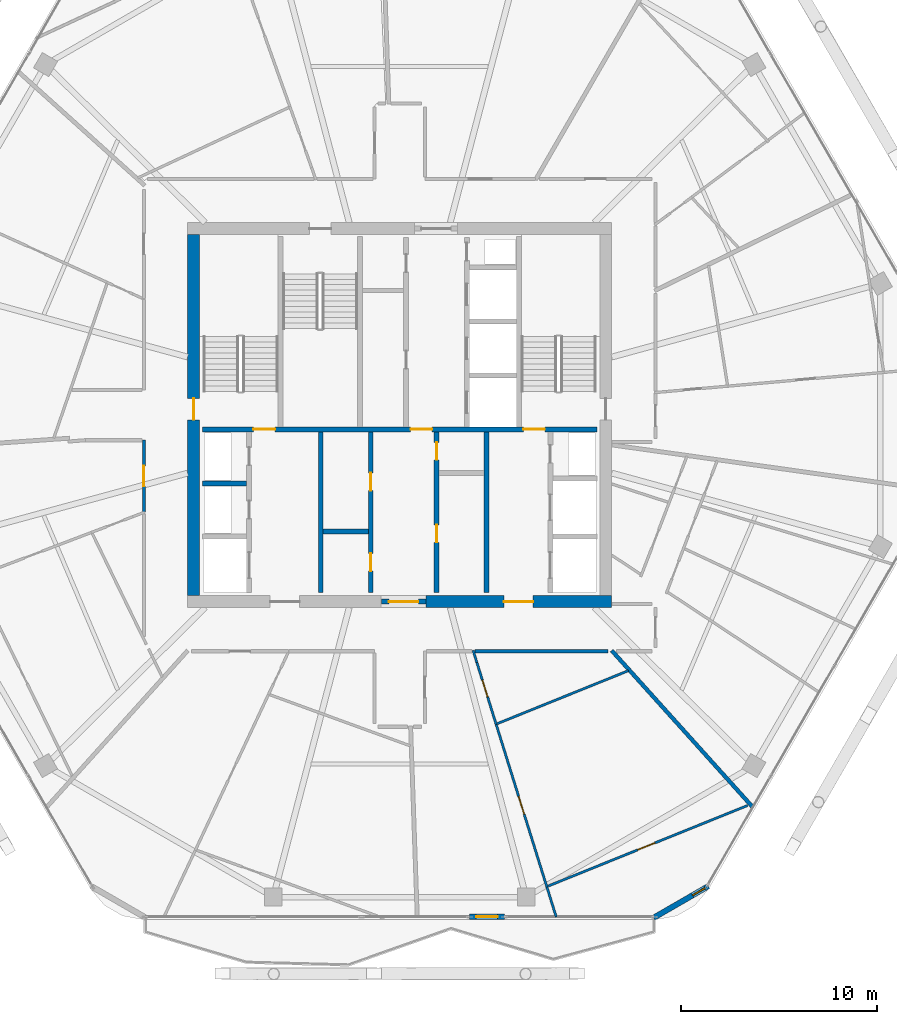
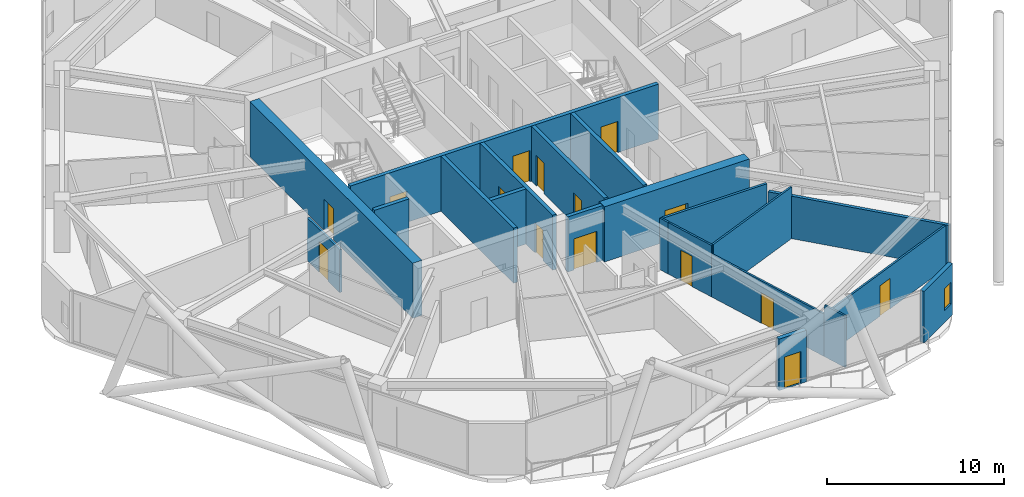
# One storey, part 21 of 26: 21 walls, 15 doors, 1 window, 16 openings.
"""IFC4 building model written with IfcOpenShell, lengths in metres."""

import ifcopenshell
import ifcopenshell.guid

model = None  # the IFC model being written
_history = None  # IfcOwnerHistory: only IFC2X3 demands one
_inside = {}  # id of a spatial element -> (the spatial element, [elements in it])
_under = {}  # id of a project, library or spatial element -> (it, [spatial elements below it])
_declared = {}  # id of a project -> (the project, [libraries it declares])
_typed = {}  # id of a type object -> (the type object, [elements of that type])
_made_of = {}  # id of a material, layer set ... -> (it, [elements and type objects made of it])


def new_model(schema):
    """Start an empty IFC model of exactly this schema.

    Asked for "IFC4X3", IfcOpenShell would pick the latest addendum, in which some entities
    have other attributes; the version numbers below select the first issue.
    IFC2X3 requires an IfcOwnerHistory on every rooted entity: one is made here for all.
    """
    global model, _history
    if schema == "IFC4X3":
        model = ifcopenshell.file(schema_version=(4, 3, 0, 0))
    else:
        model = ifcopenshell.file(schema=schema)
    _inside.clear()
    _under.clear()
    _declared.clear()
    _typed.clear()
    _made_of.clear()
    _history = None
    if model.schema == "IFC2X3":
        org = make("IfcOrganization", Name="unknown")
        user = make(
            "IfcPersonAndOrganization",
            ThePerson=make("IfcPerson", FamilyName="unknown"),
            TheOrganization=org,
        )
        app = make(
            "IfcApplication",
            ApplicationDeveloper=org,
            Version="unknown",
            ApplicationFullName="unknown",
            ApplicationIdentifier="unknown",
        )
        _history = make(
            "IfcOwnerHistory",
            OwningUser=user,
            OwningApplication=app,
            ChangeAction="ADDED",
            CreationDate=0,
        )
    return model


def make(cls, **values):
    """One entity of the class cls with the attributes given. An attribute that is None is left unset."""
    return model.create_entity(
        cls, **{name: value for name, value in values.items() if value is not None}
    )


def rooted(cls, **values):
    """An entity with a GlobalId (a new one), such as an element, a storey or a relation."""
    return make(cls, GlobalId=ifcopenshell.guid.new(), OwnerHistory=_history, **values)


def si_unit(unit_type, name, prefix=None):
    """IfcSIUnit, for example si_unit("LENGTHUNIT", "METRE", prefix="MILLI")."""
    return make("IfcSIUnit", UnitType=unit_type, Prefix=prefix, Name=name)


def assignment(units):
    """IfcUnitAssignment: the units of a project."""
    return None if units is None else make("IfcUnitAssignment", Units=units)


def point(xyz):
    """IfcCartesianPoint."""
    return None if xyz is None else make("IfcCartesianPoint", Coordinates=xyz)


def direction(xyz):
    """IfcDirection."""
    return None if xyz is None else make("IfcDirection", DirectionRatios=xyz)


def frame(location, z_axis=None, x_axis=None):
    """IfcAxis2Placement3D, a coordinate frame: its origin and axes. An axis left out is left unset."""
    return make(
        "IfcAxis2Placement3D",
        Location=point(location),
        Axis=direction(z_axis),
        RefDirection=direction(x_axis),
    )


def frame_2d(location, x_axis=None):
    """IfcAxis2Placement2D, a coordinate frame in the plane: its origin and x axis."""
    return make(
        "IfcAxis2Placement2D", Location=point(location), RefDirection=direction(x_axis)
    )


def origin():
    """The frame at (0, 0, 0) with its axes left unset."""
    return frame((0.0, 0.0, 0.0))


def place(relative_to, where):
    """IfcLocalPlacement: puts the frame where relative to a parent placement (None: the world)."""
    return make(
        "IfcLocalPlacement", PlacementRelTo=relative_to, RelativePlacement=where
    )


def context(
    kind, dimensions, precision=None, world=None, true_north=None, identifier=None
):
    """IfcGeometricRepresentationContext, for example the 3D "Model" context."""
    return make(
        "IfcGeometricRepresentationContext",
        ContextIdentifier=identifier,
        ContextType=kind,
        CoordinateSpaceDimension=dimensions,
        Precision=precision,
        WorldCoordinateSystem=world,
        TrueNorth=true_north,
    )


def subcontext(parent, identifier, kind, view, scale=None):
    """IfcGeometricRepresentationSubContext, for example "Body" below "Model"."""
    return make(
        "IfcGeometricRepresentationSubContext",
        ContextIdentifier=identifier,
        ContextType=kind,
        ParentContext=parent,
        TargetScale=scale,
        TargetView=view,
    )


def project(units=None, contexts=None):
    """IfcProject with its units and contexts."""
    return rooted(
        "IfcProject",
        Name="project",
        RepresentationContexts=contexts,
        UnitsInContext=assignment(units),
    )


def spatial(cls, under=None, at=None, **own):
    """A site, building, storey or space (cls), placed at a placement, below another one or the project."""
    s = rooted(cls, ObjectPlacement=at, **own)
    if under is not None:
        _under.setdefault(under.id(), (under, []))[1].append(s)
    return s


def profile(cls, at=None, kind="AREA", **sizes):
    """A parametric profile (cls). Its sizes go by their IFC names, for example OverallWidth=200.0."""
    return make(cls, ProfileType=kind, Position=at, **sizes)


def rectangle(**sizes):
    """IfcRectangleProfileDef."""
    return profile("IfcRectangleProfileDef", **sizes)


def extrude(swept, where, along, depth):
    """IfcExtrudedAreaSolid: the profile swept, set in the frame where, extruded along a direction by depth."""
    return make(
        "IfcExtrudedAreaSolid",
        SweptArea=swept,
        Position=where,
        ExtrudedDirection=direction(along),
        Depth=depth,
    )


def shape(context_of_items, identifier, shape_type, items):
    """IfcShapeRepresentation: the items that make up one representation, for example the "Body"."""
    return make(
        "IfcShapeRepresentation",
        ContextOfItems=context_of_items,
        RepresentationIdentifier=identifier,
        RepresentationType=shape_type,
        Items=items,
    )


def material(Name=None, Category=None):
    """IfcMaterial."""
    return make("IfcMaterial", Name=Name, Category=Category)


def layer(
    of_material, thickness, ventilated=None, Name=None, Category=None, Priority=None
):
    """IfcMaterialLayer: one layer of a wall or slab, of a material (None: an air gap)."""
    return make(
        "IfcMaterialLayer",
        Material=of_material,
        LayerThickness=thickness,
        IsVentilated=ventilated,
        Name=Name,
        Category=Category,
        Priority=Priority,
    )


def layer_set(layers, Name=None):
    """IfcMaterialLayerSet."""
    return make("IfcMaterialLayerSet", MaterialLayers=layers, LayerSetName=Name)


def made_of(thing, what):
    """Note that an element or type object is made of a material, layer set ...; save() writes the relation."""
    if what is not None:
        _made_of.setdefault(what.id(), (what, []))[1].append(thing)
    return thing


def type_object(cls, material=None, **own):
    """A type object (cls), such as IfcWallType, which elements share."""
    return made_of(rooted(cls, **own), material)


def element(
    cls,
    number,
    at=None,
    inside=None,
    cuts=None,
    type_object=None,
    material=None,
    context=None,
    identifier="Body",
    shape_type=None,
    held_by="IfcProductDefinitionShape",
    body=None,
    shapes=None,
    **own,
):
    """One element of the class cls, such as IfcWall. Its Tag is "e" and its number.

    at: its placement. inside: the storey or other place that contains it. cuts: it is an
    opening in that element (IfcRelVoidsElement). A single representation is given by context,
    identifier, shape_type and body (its items); several are given by shapes. held_by: the class
    of the entity that holds the representations. save() writes the other relations.
    """
    e = rooted(cls, Tag="e%d" % number, ObjectPlacement=at, **own)
    if body is not None:
        shapes = [shape(context, identifier, shape_type, body)]
    if shapes is not None:
        e.Representation = make(held_by, Representations=shapes)
    if inside is not None:
        _inside.setdefault(inside.id(), (inside, []))[1].append(e)
    if cuts is not None:
        rooted(
            "IfcRelVoidsElement", RelatingBuildingElement=cuts, RelatedOpeningElement=e
        )
    if type_object is not None:
        _typed.setdefault(type_object.id(), (type_object, []))[1].append(e)
    return made_of(e, material)


def fill(opening, filler):
    """IfcRelFillsElement: the door or window that sits in an opening."""
    return rooted(
        "IfcRelFillsElement",
        RelatingOpeningElement=opening,
        RelatedBuildingElement=filler,
    )


def aggregate(whole, parts):
    """IfcRelAggregates: a whole, such as a stair, and the parts it consists of."""
    return rooted("IfcRelAggregates", RelatingObject=whole, RelatedObjects=parts)


def save(model, path):
    """Write the relations noted so far, then the file.

    IfcRelAggregates (storeys below a building ...), IfcRelContainedInSpatialStructure (elements
    in a storey), IfcRelDefinesByType, IfcRelAssociatesMaterial and IfcRelDeclares: one each for
    every whole, place, type object, material and project.
    """
    for whole, parts in _under.values():
        aggregate(whole, parts)
    for where, things in _inside.values():
        rooted(
            "IfcRelContainedInSpatialStructure",
            RelatedElements=things,
            RelatingStructure=where,
        )
    for kind, things in _typed.values():
        rooted("IfcRelDefinesByType", RelatedObjects=things, RelatingType=kind)
    for what, things in _made_of.values():
        rooted("IfcRelAssociatesMaterial", RelatedObjects=things, RelatingMaterial=what)
    for by, libraries in _declared.values():
        rooted("IfcRelDeclares", RelatingContext=by, RelatedDefinitions=libraries)
    model.write(path)


model = new_model("IFC4")

# Units and contexts
model_context = context("Model", 3, precision=1e-05, world=origin(), true_north=direction((0.0, 1.0)))
body_context = subcontext(model_context, "Body", "Model", "MODEL_VIEW")
ifc_project = project(units=[si_unit("LENGTHUNIT", "METRE"), si_unit("AREAUNIT", "SQUARE_METRE"), si_unit("VOLUMEUNIT", "CUBIC_METRE"), si_unit("PLANEANGLEUNIT", "RADIAN"), si_unit("MASSUNIT", "GRAM", prefix="KILO")], contexts=[model_context])

# Site, building, storey
site_placement = place(None, origin())
site = spatial("IfcSite", under=ifc_project, at=site_placement, CompositionType="ELEMENT")
building_placement = place(site_placement, origin())
building = spatial("IfcBuilding", under=site, at=building_placement, Name="Zuhravey Tower", CompositionType="ELEMENT")
storey_placement = place(building_placement, frame((0.0, 0.0, 231.199951171875)))
storey = spatial("IfcBuildingStorey", under=building, at=storey_placement, Name="L58", CompositionType="ELEMENT", Elevation=231.199951171875)

# Wall, opening, door
ifc_material_1 = material(Name="Concrete C50/60", Category="concrete")
ifc_layer_1 = layer(ifc_material_1, 0.60009765625)
ifc_layer_set_1 = layer_set([ifc_layer_1], Name="Concrete C50/60")
wall_type_1 = type_object("IfcWallType", Name="Core Shear Wall 600", PredefinedType="SHEAR", material=ifc_layer_set_1)
wall_1_placement = place(storey_placement, frame((37.35009765625, 22.5, 0.0), z_axis=(0.0, 0.0, 1.0), x_axis=(1.0, 0.0, 0.0)))
wall_1 = element("IfcWall", 1, at=wall_1_placement, inside=storey, type_object=wall_type_1, Name="L58 South-East Core Shear Wall CW60", PredefinedType="SHEAR", context=body_context, shape_type="SweptSolid", body=[
    extrude(rectangle(XDim=9.449951171875, YDim=0.60009765625, at=frame_2d((4.72509765625, 0.0))), origin(), (0.0, 0.0, 1.0), 3.800048828125),
])
opening_1_placement = place(wall_1_placement, frame((3.949951171875, 0.0, 0.0)))
opening_1 = element("IfcOpeningElement", 2, at=opening_1_placement, cuts=wall_1, Name="Opening FFD1", PredefinedType="OPENING", context=body_context, shape_type="SweptSolid", body=[
    extrude(rectangle(XDim=1.5, YDim=2.14990234375, at=frame_2d((0.75, 1.074951171875))), frame((0.0, 0.31201171875, 0.0), z_axis=(0.0, -1.0, 0.0), x_axis=(1.0, 0.0, 0.0)), (0.0, 0.0, 1.0), 0.6240234375),
])
ifc_material_2 = material(Name="Galvanised fire-rated steel leaf", Category="steel")
door_type_1 = type_object("IfcDoorType", Name="Firefighting Lobby Double Door 1500x2150", OperationType="DOUBLE_DOOR_SINGLE_SWING", PredefinedType="DOOR", material=ifc_material_2)
door_1_placement = place(opening_1_placement, origin())
door_1 = element("IfcDoor", 3, at=door_1_placement, inside=storey, type_object=door_type_1, Name="L58 Firefighting Lobby East Door", OperationType="DOUBLE_DOOR_SINGLE_SWING", OverallHeight=2.14990234375, OverallWidth=1.5, PredefinedType="DOOR", context=body_context, shape_type="SweptSolid", body=[
    extrude(rectangle(XDim=1.5, YDim=2.14990234375, at=frame_2d((0.75, 1.074951171875))), frame((0.0, 0.02490234375, 0.0), z_axis=(0.0, -1.0, 0.0), x_axis=(1.0, 0.0, 0.0)), (0.0, 0.0, 1.0), 0.050048828125),
])
fill(opening_1, door_1)

wall_2_placement = place(storey_placement, frame((25.5, 22.800048828125, 0.0), z_axis=(0.0, 0.0, 1.0), x_axis=(0.0, 1.0, 0.0)))
wall_2 = element("IfcWall", 4, at=wall_2_placement, inside=storey, type_object=wall_type_1, Name="L58 West Core Shear Wall CW60", PredefinedType="SHEAR", context=body_context, shape_type="SweptSolid", body=[
    extrude(rectangle(XDim=18.39990234375, YDim=0.60009765625, at=frame_2d((9.199951171875, 0.0))), origin(), (0.0, 0.0, 1.0), 3.800048828125),
])
opening_2_placement = place(wall_2_placement, frame((8.949951171875, 0.0, 0.0)))
opening_2 = element("IfcOpeningElement", 5, at=opening_2_placement, cuts=wall_2, Name="Opening STD1", PredefinedType="OPENING", context=body_context, shape_type="SweptSolid", body=[
    extrude(rectangle(XDim=1.10009765625, YDim=2.14990234375, at=frame_2d((0.550048828125, 1.074951171875))), frame((0.0, 0.31201171875, 0.0), z_axis=(0.0, -1.0, 0.0), x_axis=(1.0, 0.0, 0.0)), (0.0, 0.0, 1.0), 0.6240234375),
])
door_type_2 = type_object("IfcDoorType", Name="Protected Stair Fire Door 1100x2150", OperationType="NOTDEFINED", PredefinedType="USERDEFINED", material=ifc_material_2)
door_2_placement = place(opening_2_placement, frame((1.10009765625, 0.0, 0.0), z_axis=(0.0, 0.0, 1.0), x_axis=(-1.0, 0.0, 0.0)))
door_2 = element("IfcDoor", 6, at=door_2_placement, inside=storey, type_object=door_type_2, Name="L58 Stair ST1 Door", ObjectType="EXITDOOR", OperationType="SINGLE_SWING_LEFT", OverallHeight=2.14990234375, OverallWidth=1.10009765625, PredefinedType="USERDEFINED", context=body_context, shape_type="SweptSolid", body=[
    extrude(rectangle(XDim=1.10009765625, YDim=2.14990234375, at=frame_2d((0.550048828125, 1.074951171875))), frame((0.0, 0.02490234375, 0.0), z_axis=(0.0, -1.0, 0.0), x_axis=(1.0, 0.0, 0.0)), (0.0, 0.0, 1.0), 0.050048828125),
])
fill(opening_2, door_2)

ifc_material_3 = material(Name="Gypsum fire-rated stud partition")
ifc_layer_2 = layer(ifc_material_3, 0.159912109375)
ifc_layer_set_2 = layer_set([ifc_layer_2], Name="Gypsum fire-rated stud partition")
wall_type_2 = type_object("IfcWallType", Name="Corridor Fire Partition 160", PredefinedType="PARTITIONING", material=ifc_layer_set_2)
wall_3_placement = place(storey_placement, frame((22.969970703125, 30.719970703125, 0.0), z_axis=(0.0, 0.0, 1.0), x_axis=(0.0, -1.0, 0.0)))
wall_3 = element("IfcWall", 7, at=wall_3_placement, inside=storey, type_object=wall_type_2, Name="L58 IW16 Partition 032", PredefinedType="PARTITIONING", context=body_context, shape_type="SweptSolid", body=[
    extrude(rectangle(XDim=3.65869140625, YDim=0.159912109375, at=frame_2d((1.829345703125, 0.0))), origin(), (0.0, 0.0, 1.0), 2.949951171875),
])
opening_3_placement = place(wall_3_placement, frame((1.30419921875, 0.0, 0.0)))
opening_3 = element("IfcOpeningElement", 8, at=opening_3_placement, cuts=wall_3, Name="Opening APD1", PredefinedType="OPENING", context=body_context, shape_type="SweptSolid", body=[
    extrude(rectangle(XDim=1.050048828125, YDim=2.14990234375, at=frame_2d((0.52490234375, 1.074951171875))), frame((0.0, 0.092041015625, 0.0), z_axis=(0.0, -1.0, 0.0), x_axis=(1.0, 0.0, 0.0)), (0.0, 0.0, 1.0), 0.183837890625),
])
ifc_material_4 = material(Name="Solid-core oak fire-rated leaf")
door_type_3 = type_object("IfcDoorType", Name="Apartment Entrance Fire Door 1050x2150", OperationType="NOTDEFINED", PredefinedType="DOOR", material=ifc_material_4)
door_3_placement = place(opening_3_placement, frame((1.050048828125, 0.0, 0.0), z_axis=(0.0, 0.0, 1.0), x_axis=(-1.0, 0.0, 0.0)))
door_3 = element("IfcDoor", 9, at=door_3_placement, inside=storey, type_object=door_type_3, Name="L58 Door 032.1", OperationType="SINGLE_SWING_RIGHT", OverallHeight=2.14990234375, OverallWidth=1.050048828125, PredefinedType="DOOR", context=body_context, shape_type="SweptSolid", body=[
    extrude(rectangle(XDim=1.050048828125, YDim=2.14990234375, at=frame_2d((0.52490234375, 1.074951171875))), frame((0.0, 0.02490234375, 0.0), z_axis=(0.0, -1.0, 0.0), x_axis=(1.0, 0.0, 0.0)), (0.0, 0.0, 1.0), 0.050048828125),
])
fill(opening_3, door_3)

# Wall
wall_4_placement = place(storey_placement, frame((39.82275390625, 19.969970703125, 0.0), z_axis=(0.0, 0.0, 1.0), x_axis=(1.0, 0.0, 0.0)))
element("IfcWall", 10, at=wall_4_placement, inside=storey, type_object=wall_type_2, Name="L58 IW16 Partition 107", PredefinedType="PARTITIONING", context=body_context, shape_type="SweptSolid", body=[
    extrude(rectangle(XDim=6.793701171875, YDim=0.159912109375, at=frame_2d((3.39697265625, 0.0))), origin(), (0.0, 0.0, 1.0), 3.550048828125),
])

# Wall, opening, window
ifc_material_5 = material(Name="Precast concrete C40/50", Category="concrete")
ifc_layer_3 = layer(ifc_material_5, 0.280029296875)
ifc_layer_set_3 = layer_set([ifc_layer_3], Name="Precast concrete C40/50")
wall_type_3 = type_object("IfcWallType", Name="Crown Architectural Wall 280", PredefinedType="SOLIDWALL", material=ifc_layer_set_3)
wall_5_placement = place(storey_placement, frame((51.714599609375, 7.996337890625, 0.0), z_axis=(0.0, 0.0, 1.0), x_axis=(-0.866028773314, -0.499994163758, 0.0)))
wall_5 = element("IfcWall", 11, at=wall_5_placement, inside=storey, type_object=wall_type_3, Name="L58 Rounded Corner Closure Wall EW28-02", PredefinedType="SOLIDWALL", context=body_context, shape_type="SweptSolid", body=[
    extrude(rectangle(XDim=3.21484375, YDim=0.280029296875, at=frame_2d((1.607421875, 0.0))), origin(), (0.0, 0.0, 1.0), 3.550048828125),
])
opening_4_placement = place(wall_5_placement, frame((0.17578125, 0.0, 0.85009765625)))
opening_4 = element("IfcOpeningElement", 12, at=opening_4_placement, cuts=wall_5, Name="Opening WN5", PredefinedType="OPENING", context=body_context, shape_type="SweptSolid", body=[
    extrude(rectangle(XDim=0.75, YDim=1.5, at=frame_2d((0.375, 0.75))), frame((0.0, 0.152099609375, 0.0), z_axis=(0.0, -1.0, 0.0), x_axis=(1.0, 0.0, 0.0)), (0.0, 0.0, 1.0), 0.303955078125),
])
ifc_material_6 = material(Name="Thermally broken aluminium and triple low-E glass", Category="aluminium")
window_type = type_object("IfcWindowType", Name="Residential Corner Casement Window 750x1500", PartitioningType="SINGLE_PANEL", PredefinedType="WINDOW", material=ifc_material_6)
window_placement = place(opening_4_placement, origin())
window = element("IfcWindow", 13, at=window_placement, inside=storey, type_object=window_type, Name="L58 Corner Casement Window WN5-02.1", OverallHeight=1.5, OverallWidth=0.75, PartitioningType="SINGLE_PANEL", PredefinedType="WINDOW", context=body_context, shape_type="SweptSolid", body=[
    extrude(rectangle(XDim=0.75, YDim=1.5, at=frame_2d((0.375, 0.75))), frame((0.0, 0.030029296875, 0.0), z_axis=(0.0, -1.0, 0.0), x_axis=(1.0, 0.0, 0.0)), (0.0, 0.0, 1.0), 0.06005859375),
])
fill(opening_4, window)

# Wall, opening, door
wall_6_placement = place(storey_placement, frame((41.335693359375, 6.436279296875, 0.0), z_axis=(0.0, 0.0, 1.0), x_axis=(-1.0, 0.0, 0.0)))
wall_6 = element("IfcWall", 14, at=wall_6_placement, inside=storey, type_object=wall_type_3, Name="L58 Face 5 Facade Pier EW28-1", PredefinedType="SOLIDWALL", context=body_context, shape_type="SweptSolid", body=[
    extrude(rectangle(XDim=1.7900390625, YDim=0.280029296875, at=frame_2d((0.89501953125, 0.0))), origin(), (0.0, 0.0, 1.0), 3.550048828125),
])
opening_5_placement = place(wall_6_placement, frame((0.344970703125, 0.0, 0.0)))
opening_5 = element("IfcOpeningElement", 15, at=opening_5_placement, cuts=wall_6, Name="Opening BLD1", PredefinedType="OPENING", context=body_context, shape_type="SweptSolid", body=[
    extrude(rectangle(XDim=1.10009765625, YDim=2.199951171875, at=frame_2d((0.550048828125, 1.10009765625))), frame((0.0, 0.152099609375, 0.0), z_axis=(0.0, -1.0, 0.0), x_axis=(1.0, 0.0, 0.0)), (0.0, 0.0, 1.0), 0.303955078125),
])
ifc_material_7 = material(Name="Thermally broken aluminium and low-E glass", Category="aluminium")
door_type_4 = type_object("IfcDoorType", Name="Balcony & Sky-Tray Glazed Door 1100x2200", OperationType="NOTDEFINED", PredefinedType="DOOR", material=ifc_material_7)
door_4_placement = place(opening_5_placement, frame((1.10009765625, 0.0, 0.0), z_axis=(0.0, 0.0, 1.0), x_axis=(-1.0, 0.0, 0.0)))
door_4 = element("IfcDoor", 16, at=door_4_placement, inside=storey, type_object=door_type_4, Name="L58 Face 5 Wave Balcony Door", OperationType="SINGLE_SWING_LEFT", OverallHeight=2.199951171875, OverallWidth=1.10009765625, PredefinedType="DOOR", context=body_context, shape_type="SweptSolid", body=[
    extrude(rectangle(XDim=1.10009765625, YDim=2.199951171875, at=frame_2d((0.550048828125, 1.10009765625))), frame((0.0, 0.02490234375, 0.0), z_axis=(0.0, -1.0, 0.0), x_axis=(1.0, 0.0, 0.0)), (0.0, 0.0, 1.0), 0.050048828125),
])
fill(opening_5, door_4)

ifc_layer_4 = layer(ifc_material_1, 0.25)
ifc_layer_set_4 = layer_set([ifc_layer_4], Name="Concrete C50/60")
wall_type_4 = type_object("IfcWallType", Name="Firefighting Shaft & Stair Wall 250", PredefinedType="SOLIDWALL", material=ifc_layer_set_4)
wall_7_placement = place(storey_placement, frame((35.06005859375, 22.5, 0.0), z_axis=(0.0, 0.0, 1.0), x_axis=(1.0, 0.0, 0.0)))
wall_7 = element("IfcWall", 17, at=wall_7_placement, inside=storey, type_object=wall_type_4, Name="L58 FW25 Shaft Wall 001", PredefinedType="SOLIDWALL", context=body_context, shape_type="SweptSolid", body=[
    extrude(rectangle(XDim=2.280029296875, YDim=0.25, at=frame_2d((1.14013671875, 0.0))), origin(), (0.0, 0.0, 1.0), 3.800048828125),
])
opening_6_placement = place(wall_7_placement, frame((0.389892578125, 0.0, 0.0)))
opening_6 = element("IfcOpeningElement", 18, at=opening_6_placement, cuts=wall_7, Name="Opening FFD1", PredefinedType="OPENING", context=body_context, shape_type="SweptSolid", body=[
    extrude(rectangle(XDim=1.5, YDim=2.14990234375, at=frame_2d((0.75, 1.074951171875))), frame((0.0, 0.136962890625, 0.0), z_axis=(0.0, -1.0, 0.0), x_axis=(1.0, 0.0, 0.0)), (0.0, 0.0, 1.0), 0.27392578125),
])
door_5_placement = place(opening_6_placement, frame((1.5, 0.0, 0.0), z_axis=(0.0, 0.0, 1.0), x_axis=(-1.0, 0.0, 0.0)))
door_5 = element("IfcDoor", 19, at=door_5_placement, inside=storey, type_object=door_type_1, Name="L58 South Lift Lobby Exit Door", OperationType="DOUBLE_DOOR_SINGLE_SWING", OverallHeight=2.14990234375, OverallWidth=1.5, PredefinedType="DOOR", context=body_context, shape_type="SweptSolid", body=[
    extrude(rectangle(XDim=1.5, YDim=2.14990234375, at=frame_2d((0.75, 1.074951171875))), frame((0.0, 0.02490234375, 0.0), z_axis=(0.0, -1.0, 0.0), x_axis=(1.0, 0.0, 0.0)), (0.0, 0.0, 1.0), 0.050048828125),
])
fill(opening_6, door_5)

# Wall, openings, doors
wall_8_placement = place(storey_placement, frame((25.949951171875, 31.27490234375, 0.0), z_axis=(0.0, 0.0, 1.0), x_axis=(1.0, 0.0, 0.0)))
wall_8 = element("IfcWall", 20, at=wall_8_placement, inside=storey, type_object=wall_type_4, Name="L58 FW25 Shaft Wall 003", PredefinedType="SOLIDWALL", context=body_context, shape_type="SweptSolid", body=[
    extrude(rectangle(XDim=20.10009765625, YDim=0.25, at=frame_2d((10.050048828125, 0.0))), origin(), (0.0, 0.0, 1.0), 3.800048828125),
])
opening_7_placement = place(wall_8_placement, frame((2.60009765625, 0.0, 0.0)))
opening_7 = element("IfcOpeningElement", 21, at=opening_7_placement, cuts=wall_8, Name="Opening STD1", PredefinedType="OPENING", context=body_context, shape_type="SweptSolid", body=[
    extrude(rectangle(XDim=1.10009765625, YDim=2.14990234375, at=frame_2d((0.550048828125, 1.074951171875))), frame((0.0, 0.136962890625, 0.0), z_axis=(0.0, -1.0, 0.0), x_axis=(1.0, 0.0, 0.0)), (0.0, 0.0, 1.0), 0.27392578125),
])
opening_8_placement = place(wall_8_placement, frame((10.60009765625, 0.0, 0.0)))
opening_8 = element("IfcOpeningElement", 22, at=opening_8_placement, cuts=wall_8, Name="Opening STD1", PredefinedType="OPENING", context=body_context, shape_type="SweptSolid", body=[
    extrude(rectangle(XDim=1.10009765625, YDim=2.14990234375, at=frame_2d((0.550048828125, 1.074951171875))), frame((0.0, 0.136962890625, 0.0), z_axis=(0.0, -1.0, 0.0), x_axis=(1.0, 0.0, 0.0)), (0.0, 0.0, 1.0), 0.27392578125),
])
opening_9_placement = place(wall_8_placement, frame((16.35009765625, 0.0, 0.0)))
opening_9 = element("IfcOpeningElement", 23, at=opening_9_placement, cuts=wall_8, Name="Opening STD1", PredefinedType="OPENING", context=body_context, shape_type="SweptSolid", body=[
    extrude(rectangle(XDim=1.10009765625, YDim=2.14990234375, at=frame_2d((0.550048828125, 1.074951171875))), frame((0.0, 0.136962890625, 0.0), z_axis=(0.0, -1.0, 0.0), x_axis=(1.0, 0.0, 0.0)), (0.0, 0.0, 1.0), 0.27392578125),
])
door_6_placement = place(opening_7_placement, origin())
door_6 = element("IfcDoor", 24, at=door_6_placement, inside=storey, type_object=door_type_2, Name="L58 FFL-W to ST1 Door", ObjectType="EXITDOOR", OperationType="SINGLE_SWING_RIGHT", OverallHeight=2.14990234375, OverallWidth=1.10009765625, PredefinedType="USERDEFINED", context=body_context, shape_type="SweptSolid", body=[
    extrude(rectangle(XDim=1.10009765625, YDim=2.14990234375, at=frame_2d((0.550048828125, 1.074951171875))), frame((0.0, 0.02490234375, 0.0), z_axis=(0.0, -1.0, 0.0), x_axis=(1.0, 0.0, 0.0)), (0.0, 0.0, 1.0), 0.050048828125),
])
fill(opening_7, door_6)
door_7_placement = place(opening_8_placement, origin())
door_7 = element("IfcDoor", 25, at=door_7_placement, inside=storey, type_object=door_type_2, Name="L58 Core Lobby Link Door", ObjectType="EXITDOOR", OperationType="SINGLE_SWING_LEFT", OverallHeight=2.14990234375, OverallWidth=1.10009765625, PredefinedType="USERDEFINED", context=body_context, shape_type="SweptSolid", body=[
    extrude(rectangle(XDim=1.10009765625, YDim=2.14990234375, at=frame_2d((0.550048828125, 1.074951171875))), frame((0.0, 0.02490234375, 0.0), z_axis=(0.0, -1.0, 0.0), x_axis=(1.0, 0.0, 0.0)), (0.0, 0.0, 1.0), 0.050048828125),
])
fill(opening_8, door_7)
door_8_placement = place(opening_9_placement, origin())
door_8 = element("IfcDoor", 26, at=door_8_placement, inside=storey, type_object=door_type_2, Name="L58 FFL-E to ST2 Door", ObjectType="EXITDOOR", OperationType="SINGLE_SWING_RIGHT", OverallHeight=2.14990234375, OverallWidth=1.10009765625, PredefinedType="USERDEFINED", context=body_context, shape_type="SweptSolid", body=[
    extrude(rectangle(XDim=1.10009765625, YDim=2.14990234375, at=frame_2d((0.550048828125, 1.074951171875))), frame((0.0, 0.02490234375, 0.0), z_axis=(0.0, -1.0, 0.0), x_axis=(1.0, 0.0, 0.0)), (0.0, 0.0, 1.0), 0.050048828125),
])
fill(opening_9, door_8)

# Walls
wall_9_placement = place(storey_placement, frame((25.949951171875, 28.52490234375, 0.0), z_axis=(0.0, 0.0, 1.0), x_axis=(1.0, 0.0, 0.0)))
element("IfcWall", 27, at=wall_9_placement, inside=storey, type_object=wall_type_4, Name="L58 FW25 Shaft Wall 010", PredefinedType="SOLIDWALL", context=body_context, shape_type="SweptSolid", body=[
    extrude(rectangle(XDim=2.25, YDim=0.25, at=frame_2d((1.125, 0.0))), origin(), (0.0, 0.0, 1.0), 3.800048828125),
])
wall_10_placement = place(storey_placement, frame((31.97509765625, 22.949951171875, 0.0), z_axis=(0.0, 0.0, 1.0), x_axis=(0.0, 1.0, 0.0)))
element("IfcWall", 28, at=wall_10_placement, inside=storey, type_object=wall_type_4, Name="L58 FW25 Shaft Wall 012", PredefinedType="SOLIDWALL", context=body_context, shape_type="SweptSolid", body=[
    extrude(rectangle(XDim=8.199951171875, YDim=0.25, at=frame_2d((4.10009765625, 0.0))), origin(), (0.0, 0.0, 1.0), 3.800048828125),
])
wall_11_placement = place(storey_placement, frame((32.10009765625, 26.074951171875, 0.0), z_axis=(0.0, 0.0, 1.0), x_axis=(1.0, 0.0, 0.0)))
element("IfcWall", 29, at=wall_11_placement, inside=storey, type_object=wall_type_4, Name="L58 FW25 Shaft Wall 013", PredefinedType="SOLIDWALL", context=body_context, shape_type="SweptSolid", body=[
    extrude(rectangle(XDim=2.2998046875, YDim=0.25, at=frame_2d((1.14990234375, 0.0))), origin(), (0.0, 0.0, 1.0), 3.800048828125),
])

# Wall, openings, doors
wall_12_placement = place(storey_placement, frame((34.52490234375, 22.949951171875, 0.0), z_axis=(0.0, 0.0, 1.0), x_axis=(0.0, 1.0, 0.0)))
wall_12 = element("IfcWall", 30, at=wall_12_placement, inside=storey, type_object=wall_type_4, Name="L58 FW25 Shaft Wall 014", PredefinedType="SOLIDWALL", context=body_context, shape_type="SweptSolid", body=[
    extrude(rectangle(XDim=8.199951171875, YDim=0.25, at=frame_2d((4.10009765625, 0.0))), origin(), (0.0, 0.0, 1.0), 3.800048828125),
])
opening_10_placement = place(wall_12_placement, frame((1.10009765625, 0.0, 0.0)))
opening_10 = element("IfcOpeningElement", 31, at=opening_10_placement, cuts=wall_12, Name="Opening RSD1", PredefinedType="OPENING", context=body_context, shape_type="SweptSolid", body=[
    extrude(rectangle(XDim=0.89990234375, YDim=2.10009765625, at=frame_2d((0.449951171875, 1.050048828125))), frame((0.0, 0.136962890625, 0.0), z_axis=(0.0, -1.0, 0.0), x_axis=(1.0, 0.0, 0.0)), (0.0, 0.0, 1.0), 0.27392578125),
])
opening_11_placement = place(wall_12_placement, frame((5.199951171875, 0.0, 0.0)))
opening_11 = element("IfcOpeningElement", 32, at=opening_11_placement, cuts=wall_12, Name="Opening RSD1", PredefinedType="OPENING", context=body_context, shape_type="SweptSolid", body=[
    extrude(rectangle(XDim=0.89990234375, YDim=2.10009765625, at=frame_2d((0.449951171875, 1.050048828125))), frame((0.0, 0.136962890625, 0.0), z_axis=(0.0, -1.0, 0.0), x_axis=(1.0, 0.0, 0.0)), (0.0, 0.0, 1.0), 0.27392578125),
])
ifc_material_8 = material(Name="Galvanised fire-rated steel access leaf", Category="steel")
door_type_5 = type_object("IfcDoorType", Name="Riser & Shaft Access Fire Door 900x2100", OperationType="NOTDEFINED", PredefinedType="DOOR", material=ifc_material_8)
door_9_placement = place(opening_10_placement, origin())
door_9 = element("IfcDoor", 33, at=door_9_placement, inside=storey, type_object=door_type_5, Name="L58 Metering Room Door", OperationType="SINGLE_SWING_RIGHT", OverallHeight=2.10009765625, OverallWidth=0.89990234375, PredefinedType="DOOR", context=body_context, shape_type="SweptSolid", body=[
    extrude(rectangle(XDim=0.89990234375, YDim=2.10009765625, at=frame_2d((0.449951171875, 1.050048828125))), frame((0.0, 0.02490234375, 0.0), z_axis=(0.0, -1.0, 0.0), x_axis=(1.0, 0.0, 0.0)), (0.0, 0.0, 1.0), 0.050048828125),
])
fill(opening_10, door_9)
door_10_placement = place(opening_11_placement, origin())
door_10 = element("IfcDoor", 34, at=door_10_placement, inside=storey, type_object=door_type_5, Name="L58 Housekeeping Supply Door", OperationType="SINGLE_SWING_LEFT", OverallHeight=2.10009765625, OverallWidth=0.89990234375, PredefinedType="DOOR", context=body_context, shape_type="SweptSolid", body=[
    extrude(rectangle(XDim=0.89990234375, YDim=2.10009765625, at=frame_2d((0.449951171875, 1.050048828125))), frame((0.0, 0.02490234375, 0.0), z_axis=(0.0, -1.0, 0.0), x_axis=(1.0, 0.0, 0.0)), (0.0, 0.0, 1.0), 0.050048828125),
])
fill(opening_11, door_10)

wall_13_placement = place(storey_placement, frame((37.875, 22.949951171875, 0.0), z_axis=(0.0, 0.0, 1.0), x_axis=(0.0, 1.0, 0.0)))
wall_13 = element("IfcWall", 35, at=wall_13_placement, inside=storey, type_object=wall_type_4, Name="L58 FW25 Shaft Wall 016", PredefinedType="SOLIDWALL", context=body_context, shape_type="SweptSolid", body=[
    extrude(rectangle(XDim=8.199951171875, YDim=0.25, at=frame_2d((4.10009765625, 0.0))), origin(), (0.0, 0.0, 1.0), 3.800048828125),
])
opening_12_placement = place(wall_13_placement, frame((2.5625, 0.0, 0.0)))
opening_12 = element("IfcOpeningElement", 36, at=opening_12_placement, cuts=wall_13, Name="Opening RSD1", PredefinedType="OPENING", context=body_context, shape_type="SweptSolid", body=[
    extrude(rectangle(XDim=0.89990234375, YDim=2.10009765625, at=frame_2d((0.449951171875, 1.050048828125))), frame((0.0, 0.136962890625, 0.0), z_axis=(0.0, -1.0, 0.0), x_axis=(1.0, 0.0, 0.0)), (0.0, 0.0, 1.0), 0.27392578125),
])
opening_13_placement = place(wall_13_placement, frame((6.762451171875, 0.0, 0.0)))
opening_13 = element("IfcOpeningElement", 37, at=opening_13_placement, cuts=wall_13, Name="Opening RSD1", PredefinedType="OPENING", context=body_context, shape_type="SweptSolid", body=[
    extrude(rectangle(XDim=0.89990234375, YDim=2.10009765625, at=frame_2d((0.449951171875, 1.050048828125))), frame((0.0, 0.136962890625, 0.0), z_axis=(0.0, -1.0, 0.0), x_axis=(1.0, 0.0, 0.0)), (0.0, 0.0, 1.0), 0.27392578125),
])
door_11_placement = place(opening_12_placement, frame((0.89990234375, 0.0, 0.0), z_axis=(0.0, 0.0, 1.0), x_axis=(-1.0, 0.0, 0.0)))
door_11 = element("IfcDoor", 38, at=door_11_placement, inside=storey, type_object=door_type_5, Name="L58 Trunk Store Door", OperationType="SINGLE_SWING_RIGHT", OverallHeight=2.10009765625, OverallWidth=0.89990234375, PredefinedType="DOOR", context=body_context, shape_type="SweptSolid", body=[
    extrude(rectangle(XDim=0.89990234375, YDim=2.10009765625, at=frame_2d((0.449951171875, 1.050048828125))), frame((0.0, 0.02490234375, 0.0), z_axis=(0.0, -1.0, 0.0), x_axis=(1.0, 0.0, 0.0)), (0.0, 0.0, 1.0), 0.050048828125),
])
fill(opening_12, door_11)
door_12_placement = place(opening_13_placement, frame((0.89990234375, 0.0, 0.0), z_axis=(0.0, 0.0, 1.0), x_axis=(-1.0, 0.0, 0.0)))
door_12 = element("IfcDoor", 39, at=door_12_placement, inside=storey, type_object=door_type_5, Name="L58 Fiber Room Door", OperationType="SINGLE_SWING_LEFT", OverallHeight=2.10009765625, OverallWidth=0.89990234375, PredefinedType="DOOR", context=body_context, shape_type="SweptSolid", body=[
    extrude(rectangle(XDim=0.89990234375, YDim=2.10009765625, at=frame_2d((0.449951171875, 1.050048828125))), frame((0.0, 0.02490234375, 0.0), z_axis=(0.0, -1.0, 0.0), x_axis=(1.0, 0.0, 0.0)), (0.0, 0.0, 1.0), 0.050048828125),
])
fill(opening_13, door_12)

# Walls
wall_14_placement = place(storey_placement, frame((40.425048828125, 22.949951171875, 0.0), z_axis=(0.0, 0.0, 1.0), x_axis=(0.0, 1.0, 0.0)))
element("IfcWall", 40, at=wall_14_placement, inside=storey, type_object=wall_type_4, Name="L58 FW25 Shaft Wall 017", PredefinedType="SOLIDWALL", context=body_context, shape_type="SweptSolid", body=[
    extrude(rectangle(XDim=8.199951171875, YDim=0.25, at=frame_2d((4.10009765625, 0.0))), origin(), (0.0, 0.0, 1.0), 3.800048828125),
])
ifc_material_9 = material(Name="Gypsum double-stud party assembly")
ifc_layer_5 = layer(ifc_material_9, 0.199951171875)
ifc_layer_set_5 = layer_set([ifc_layer_5], Name="Gypsum double-stud party assembly")
wall_type_5 = type_object("IfcWallType", Name="Inter-Tenancy Party Wall 200", PredefinedType="PARTITIONING", material=ifc_layer_set_5)
wall_15_placement = place(storey_placement, frame((46.7958984375, 20.010009765625, 0.0), z_axis=(0.0, 0.0, 1.0), x_axis=(0.669124143022, -0.743150645041, 0.0)))
element("IfcWall", 41, at=wall_15_placement, inside=storey, type_object=wall_type_5, Name="L58 IW20 Partition 079", PredefinedType="PARTITIONING", context=body_context, shape_type="SweptSolid", body=[
    extrude(rectangle(XDim=10.744873046875, YDim=0.199951171875, at=frame_2d((5.37255859375, 0.0))), origin(), (0.0, 0.0, 1.0), 2.929931640625),
])

# Wall, opening, door
ifc_material_10 = material(Name="Gypsum metal-stud partition")
ifc_layer_6 = layer(ifc_material_10, 0.1201171875)
ifc_layer_set_6 = layer_set([ifc_layer_6], Name="Gypsum metal-stud partition")
wall_type_6 = type_object("IfcWallType", Name="Unit Internal Partition 120", PredefinedType="PARTITIONING", material=ifc_layer_set_6)
wall_16_placement = place(storey_placement, frame((39.92919921875, 19.39990234375, 0.0), z_axis=(0.0, 0.0, 1.0), x_axis=(0.297738747335, -0.954647389529, 0.0)))
wall_16 = element("IfcWall", 42, at=wall_16_placement, inside=storey, type_object=wall_type_6, Name="L58 IW12 Partition 037", PredefinedType="PARTITIONING", context=body_context, shape_type="SweptSolid", body=[
    extrude(rectangle(XDim=3.318359375, YDim=0.1201171875, at=frame_2d((1.6591796875, 0.0))), origin(), (0.0, 0.0, 1.0), 3.550048828125),
])
opening_14_placement = place(wall_16_placement, frame((0.94384765625, 0.0, 0.0)))
opening_14 = element("IfcOpeningElement", 43, at=opening_14_placement, cuts=wall_16, Name="Opening WCD1", PredefinedType="OPENING", context=body_context, shape_type="SweptSolid", body=[
    extrude(rectangle(XDim=0.89990234375, YDim=2.10009765625, at=frame_2d((0.449951171875, 1.050048828125))), frame((0.0, 0.072021484375, 0.0), z_axis=(0.0, -1.0, 0.0), x_axis=(1.0, 0.0, 0.0)), (0.0, 0.0, 1.0), 0.14404296875),
])
ifc_material_11 = material(Name="Moisture-resistant timber leaf", Category="wood")
door_type_6 = type_object("IfcDoorType", Name="Bathroom & WC Internal Door 900x2100", OperationType="NOTDEFINED", PredefinedType="DOOR", material=ifc_material_11)
door_13_placement = place(opening_14_placement, origin())
door_13 = element("IfcDoor", 44, at=door_13_placement, inside=storey, type_object=door_type_6, Name="Apartment L58-05 Bathroom Door", OperationType="SINGLE_SWING_LEFT", OverallHeight=2.10009765625, OverallWidth=0.89990234375, PredefinedType="DOOR", context=body_context, shape_type="SweptSolid", body=[
    extrude(rectangle(XDim=0.89990234375, YDim=2.10009765625, at=frame_2d((0.449951171875, 1.050048828125))), frame((0.0, 0.02490234375, 0.0), z_axis=(0.0, -1.0, 0.0), x_axis=(1.0, 0.0, 0.0)), (0.0, 0.0, 1.0), 0.050048828125),
])
fill(opening_14, door_13)

wall_17_placement = place(storey_placement, frame((40.917236328125, 16.23193359375, 0.0), z_axis=(0.0, 0.0, 1.0), x_axis=(0.297710586005, -0.954656172127, 0.0)))
wall_17 = element("IfcWall", 45, at=wall_17_placement, inside=storey, type_object=wall_type_6, Name="L58 IW12 Partition 038", PredefinedType="PARTITIONING", context=body_context, shape_type="SweptSolid", body=[
    extrude(rectangle(XDim=8.67041015625, YDim=0.1201171875, at=frame_2d((4.335205078125, 0.0))), origin(), (0.0, 0.0, 1.0), 2.929931640625),
])
opening_15_placement = place(wall_17_placement, frame((3.835205078125, 0.0, 0.0)))
opening_15 = element("IfcOpeningElement", 46, at=opening_15_placement, cuts=wall_17, Name="Opening IND1", PredefinedType="OPENING", context=body_context, shape_type="SweptSolid", body=[
    extrude(rectangle(XDim=0.949951171875, YDim=2.10009765625, at=frame_2d((0.47509765625, 1.050048828125))), frame((0.0, 0.072021484375, 0.0), z_axis=(0.0, -1.0, 0.0), x_axis=(1.0, 0.0, 0.0)), (0.0, 0.0, 1.0), 0.14404296875),
])
ifc_material_12 = material(Name="Painted engineered timber leaf", Category="wood")
door_type_7 = type_object("IfcDoorType", Name="Internal Room & Bedroom Door 950x2100", OperationType="NOTDEFINED", PredefinedType="DOOR", material=ifc_material_12)
door_14_placement = place(opening_15_placement, origin())
door_14 = element("IfcDoor", 47, at=door_14_placement, inside=storey, type_object=door_type_7, Name="Apartment L58-05 Home Office Door", OperationType="SINGLE_SWING_RIGHT", OverallHeight=2.10009765625, OverallWidth=0.949951171875, PredefinedType="DOOR", context=body_context, shape_type="SweptSolid", body=[
    extrude(rectangle(XDim=0.949951171875, YDim=2.10009765625, at=frame_2d((0.47509765625, 1.050048828125))), frame((0.0, 0.02490234375, 0.0), z_axis=(0.0, -1.0, 0.0), x_axis=(1.0, 0.0, 0.0)), (0.0, 0.0, 1.0), 0.050048828125),
])
fill(opening_15, door_14)

wall_18_placement = place(storey_placement, frame((43.55419921875, 8.00390625, 0.0), z_axis=(0.0, 0.0, 1.0), x_axis=(0.927183582348, 0.374607267179, 0.0)))
wall_18 = element("IfcWall", 48, at=wall_18_placement, inside=storey, type_object=wall_type_6, Name="L58 IW12 Partition 039", PredefinedType="PARTITIONING", context=body_context, shape_type="SweptSolid", body=[
    extrude(rectangle(XDim=10.9716796875, YDim=0.1201171875, at=frame_2d((5.48583984375, 0.0))), origin(), (0.0, 0.0, 1.0), 2.929931640625),
])
opening_16_placement = place(wall_18_placement, frame((4.926513671875, 0.0, 0.0)))
opening_16 = element("IfcOpeningElement", 49, at=opening_16_placement, cuts=wall_18, Name="Opening IND1", PredefinedType="OPENING", context=body_context, shape_type="SweptSolid", body=[
    extrude(rectangle(XDim=0.949951171875, YDim=2.10009765625, at=frame_2d((0.47509765625, 1.050048828125))), frame((0.0, 0.072021484375, 0.0), z_axis=(0.0, -1.0, 0.0), x_axis=(1.0, 0.0, 0.0)), (0.0, 0.0, 1.0), 0.14404296875),
])
door_15_placement = place(opening_16_placement, frame((0.949951171875, 0.0, 0.0), z_axis=(0.0, 0.0, 1.0), x_axis=(-1.0, 0.0, 0.0)))
door_15 = element("IfcDoor", 50, at=door_15_placement, inside=storey, type_object=door_type_7, Name="Apartment L58-05 Bedroom 1 Door", OperationType="SINGLE_SWING_LEFT", OverallHeight=2.10009765625, OverallWidth=0.949951171875, PredefinedType="DOOR", context=body_context, shape_type="SweptSolid", body=[
    extrude(rectangle(XDim=0.949951171875, YDim=2.10009765625, at=frame_2d((0.47509765625, 1.050048828125))), frame((0.0, 0.02490234375, 0.0), z_axis=(0.0, -1.0, 0.0), x_axis=(1.0, 0.0, 0.0)), (0.0, 0.0, 1.0), 0.050048828125),
])
fill(opening_16, door_15)

# Walls
wall_19_placement = place(storey_placement, frame((39.73779296875, 20.013916015625, 0.0), z_axis=(0.0, 0.0, 1.0), x_axis=(0.297604881779, -0.954689129686, 0.0)))
element("IfcWall", 51, at=wall_19_placement, inside=storey, type_object=wall_type_6, Name="L58 IW12 Partition 076", PredefinedType="PARTITIONING", context=body_context, shape_type="SweptSolid", body=[
    extrude(rectangle(XDim=0.64306640625, YDim=0.1201171875, at=frame_2d((0.321533203125, 0.0))), origin(), (0.0, 0.0, 1.0), 3.550048828125),
])
wall_20_placement = place(storey_placement, frame((43.49853515625, 7.95458984375, 0.0), z_axis=(0.0, 0.0, 1.0), x_axis=(0.297621462393, -0.95468396086, 0.0)))
element("IfcWall", 52, at=wall_20_placement, inside=storey, type_object=wall_type_6, Name="L58 IW12 Partition 077", PredefinedType="PARTITIONING", context=body_context, shape_type="SweptSolid", body=[
    extrude(rectangle(XDim=1.595458984375, YDim=0.1201171875, at=frame_2d((0.7978515625, 0.0))), origin(), (0.0, 0.0, 1.0), 3.550048828125),
])
wall_21_placement = place(storey_placement, frame((40.972900390625, 16.28125, 0.0), z_axis=(0.0, 0.0, 1.0), x_axis=(0.927185708854, 0.374602003862, 0.0)))
element("IfcWall", 53, at=wall_21_placement, inside=storey, type_object=wall_type_6, Name="L58 IW12 Partition 078", PredefinedType="PARTITIONING", context=body_context, shape_type="SweptSolid", body=[
    extrude(rectangle(XDim=7.204345703125, YDim=0.1201171875, at=frame_2d((3.60205078125, 0.0))), origin(), (0.0, 0.0, 1.0), 3.550048828125),
])

save(model, "model.ifc")
